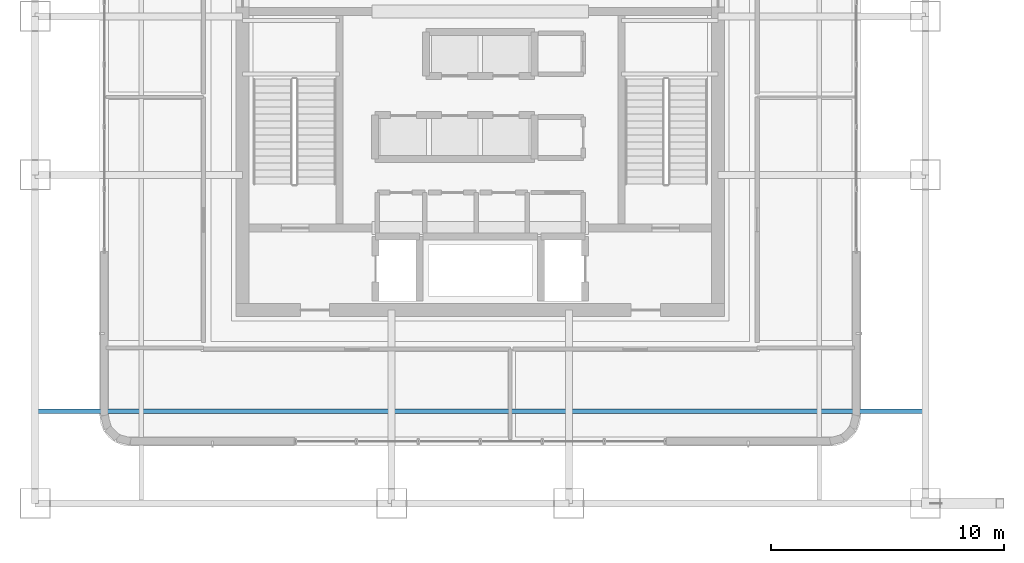
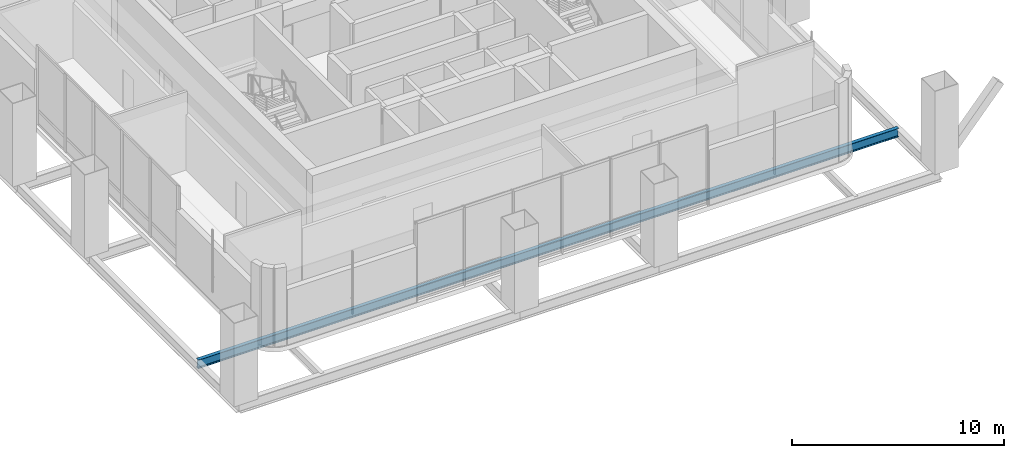
# One storey, part 5 of 33: 1 beam.
"""IFC4 building model written with IfcOpenShell, lengths in metres."""

import ifcopenshell
import ifcopenshell.guid

model = None  # the IFC model being written
_history = None  # IfcOwnerHistory: only IFC2X3 demands one
_inside = {}  # id of a spatial element -> (the spatial element, [elements in it])
_under = {}  # id of a project, library or spatial element -> (it, [spatial elements below it])
_declared = {}  # id of a project -> (the project, [libraries it declares])
_typed = {}  # id of a type object -> (the type object, [elements of that type])
_made_of = {}  # id of a material, layer set ... -> (it, [elements and type objects made of it])


def new_model(schema):
    """Start an empty IFC model of exactly this schema.

    Asked for "IFC4X3", IfcOpenShell would pick the latest addendum, in which some entities
    have other attributes; the version numbers below select the first issue.
    IFC2X3 requires an IfcOwnerHistory on every rooted entity: one is made here for all.
    """
    global model, _history
    if schema == "IFC4X3":
        model = ifcopenshell.file(schema_version=(4, 3, 0, 0))
    else:
        model = ifcopenshell.file(schema=schema)
    _inside.clear()
    _under.clear()
    _declared.clear()
    _typed.clear()
    _made_of.clear()
    _history = None
    if model.schema == "IFC2X3":
        org = make("IfcOrganization", Name="unknown")
        user = make(
            "IfcPersonAndOrganization",
            ThePerson=make("IfcPerson", FamilyName="unknown"),
            TheOrganization=org,
        )
        app = make(
            "IfcApplication",
            ApplicationDeveloper=org,
            Version="unknown",
            ApplicationFullName="unknown",
            ApplicationIdentifier="unknown",
        )
        _history = make(
            "IfcOwnerHistory",
            OwningUser=user,
            OwningApplication=app,
            ChangeAction="ADDED",
            CreationDate=0,
        )
    return model


def make(cls, **values):
    """One entity of the class cls with the attributes given. An attribute that is None is left unset."""
    return model.create_entity(
        cls, **{name: value for name, value in values.items() if value is not None}
    )


def rooted(cls, **values):
    """An entity with a GlobalId (a new one), such as an element, a storey or a relation."""
    return make(cls, GlobalId=ifcopenshell.guid.new(), OwnerHistory=_history, **values)


def si_unit(unit_type, name, prefix=None):
    """IfcSIUnit, for example si_unit("LENGTHUNIT", "METRE", prefix="MILLI")."""
    return make("IfcSIUnit", UnitType=unit_type, Prefix=prefix, Name=name)


def assignment(units):
    """IfcUnitAssignment: the units of a project."""
    return None if units is None else make("IfcUnitAssignment", Units=units)


def point(xyz):
    """IfcCartesianPoint."""
    return None if xyz is None else make("IfcCartesianPoint", Coordinates=xyz)


def direction(xyz):
    """IfcDirection."""
    return None if xyz is None else make("IfcDirection", DirectionRatios=xyz)


def frame(location, z_axis=None, x_axis=None):
    """IfcAxis2Placement3D, a coordinate frame: its origin and axes. An axis left out is left unset."""
    return make(
        "IfcAxis2Placement3D",
        Location=point(location),
        Axis=direction(z_axis),
        RefDirection=direction(x_axis),
    )


def frame_2d(location, x_axis=None):
    """IfcAxis2Placement2D, a coordinate frame in the plane: its origin and x axis."""
    return make(
        "IfcAxis2Placement2D", Location=point(location), RefDirection=direction(x_axis)
    )


def origin():
    """The frame at (0, 0, 0) with its axes left unset."""
    return frame((0.0, 0.0, 0.0))


def origin_2d():
    """The frame at (0, 0) in the plane with its x axis left unset."""
    return frame_2d((0.0, 0.0))


def place(relative_to, where):
    """IfcLocalPlacement: puts the frame where relative to a parent placement (None: the world)."""
    return make(
        "IfcLocalPlacement", PlacementRelTo=relative_to, RelativePlacement=where
    )


def context(
    kind, dimensions, precision=None, world=None, true_north=None, identifier=None
):
    """IfcGeometricRepresentationContext, for example the 3D "Model" context."""
    return make(
        "IfcGeometricRepresentationContext",
        ContextIdentifier=identifier,
        ContextType=kind,
        CoordinateSpaceDimension=dimensions,
        Precision=precision,
        WorldCoordinateSystem=world,
        TrueNorth=true_north,
    )


def subcontext(parent, identifier, kind, view, scale=None):
    """IfcGeometricRepresentationSubContext, for example "Body" below "Model"."""
    return make(
        "IfcGeometricRepresentationSubContext",
        ContextIdentifier=identifier,
        ContextType=kind,
        ParentContext=parent,
        TargetScale=scale,
        TargetView=view,
    )


def project(units=None, contexts=None):
    """IfcProject with its units and contexts."""
    return rooted(
        "IfcProject",
        Name="project",
        RepresentationContexts=contexts,
        UnitsInContext=assignment(units),
    )


def spatial(cls, under=None, at=None, **own):
    """A site, building, storey or space (cls), placed at a placement, below another one or the project."""
    s = rooted(cls, ObjectPlacement=at, **own)
    if under is not None:
        _under.setdefault(under.id(), (under, []))[1].append(s)
    return s


def profile(cls, at=None, kind="AREA", **sizes):
    """A parametric profile (cls). Its sizes go by their IFC names, for example OverallWidth=200.0."""
    return make(cls, ProfileType=kind, Position=at, **sizes)


def i_section(**sizes):
    """IfcIShapeProfileDef."""
    return profile("IfcIShapeProfileDef", **sizes)


def extrude(swept, where, along, depth):
    """IfcExtrudedAreaSolid: the profile swept, set in the frame where, extruded along a direction by depth."""
    return make(
        "IfcExtrudedAreaSolid",
        SweptArea=swept,
        Position=where,
        ExtrudedDirection=direction(along),
        Depth=depth,
    )


def shape(context_of_items, identifier, shape_type, items):
    """IfcShapeRepresentation: the items that make up one representation, for example the "Body"."""
    return make(
        "IfcShapeRepresentation",
        ContextOfItems=context_of_items,
        RepresentationIdentifier=identifier,
        RepresentationType=shape_type,
        Items=items,
    )


def material(Name=None, Category=None):
    """IfcMaterial."""
    return make("IfcMaterial", Name=Name, Category=Category)


def material_profile(
    of_material, cross_section, Name=None, Category=None, Priority=None
):
    """IfcMaterialProfile: a cross section and its material."""
    return make(
        "IfcMaterialProfile",
        Name=Name,
        Material=of_material,
        Profile=cross_section,
        Priority=Priority,
        Category=Category,
    )


def profile_set(profiles, Name=None, composite=None):
    """IfcMaterialProfileSet."""
    return make(
        "IfcMaterialProfileSet",
        Name=Name,
        MaterialProfiles=profiles,
        CompositeProfile=composite,
    )


def made_of(thing, what):
    """Note that an element or type object is made of a material, layer set ...; save() writes the relation."""
    if what is not None:
        _made_of.setdefault(what.id(), (what, []))[1].append(thing)
    return thing


def type_object(cls, material=None, **own):
    """A type object (cls), such as IfcWallType, which elements share."""
    return made_of(rooted(cls, **own), material)


def element(
    cls,
    number,
    at=None,
    inside=None,
    cuts=None,
    type_object=None,
    material=None,
    context=None,
    identifier="Body",
    shape_type=None,
    held_by="IfcProductDefinitionShape",
    body=None,
    shapes=None,
    **own,
):
    """One element of the class cls, such as IfcWall. Its Tag is "e" and its number.

    at: its placement. inside: the storey or other place that contains it. cuts: it is an
    opening in that element (IfcRelVoidsElement). A single representation is given by context,
    identifier, shape_type and body (its items); several are given by shapes. held_by: the class
    of the entity that holds the representations. save() writes the other relations.
    """
    e = rooted(cls, Tag="e%d" % number, ObjectPlacement=at, **own)
    if body is not None:
        shapes = [shape(context, identifier, shape_type, body)]
    if shapes is not None:
        e.Representation = make(held_by, Representations=shapes)
    if inside is not None:
        _inside.setdefault(inside.id(), (inside, []))[1].append(e)
    if cuts is not None:
        rooted(
            "IfcRelVoidsElement", RelatingBuildingElement=cuts, RelatedOpeningElement=e
        )
    if type_object is not None:
        _typed.setdefault(type_object.id(), (type_object, []))[1].append(e)
    return made_of(e, material)


def aggregate(whole, parts):
    """IfcRelAggregates: a whole, such as a stair, and the parts it consists of."""
    return rooted("IfcRelAggregates", RelatingObject=whole, RelatedObjects=parts)


def save(model, path):
    """Write the relations noted so far, then the file.

    IfcRelAggregates (storeys below a building ...), IfcRelContainedInSpatialStructure (elements
    in a storey), IfcRelDefinesByType, IfcRelAssociatesMaterial and IfcRelDeclares: one each for
    every whole, place, type object, material and project.
    """
    for whole, parts in _under.values():
        aggregate(whole, parts)
    for where, things in _inside.values():
        rooted(
            "IfcRelContainedInSpatialStructure",
            RelatedElements=things,
            RelatingStructure=where,
        )
    for kind, things in _typed.values():
        rooted("IfcRelDefinesByType", RelatedObjects=things, RelatingType=kind)
    for what, things in _made_of.values():
        rooted("IfcRelAssociatesMaterial", RelatedObjects=things, RelatingMaterial=what)
    for by, libraries in _declared.values():
        rooted("IfcRelDeclares", RelatingContext=by, RelatedDefinitions=libraries)
    model.write(path)


model = new_model("IFC4")

# Units and contexts
model_context = context("Model", 3, precision=1e-05, world=origin(), true_north=direction((0.0, 1.0)))
body_context = subcontext(model_context, "Body", "Model", "MODEL_VIEW")
ifc_project = project(units=[si_unit("LENGTHUNIT", "METRE"), si_unit("AREAUNIT", "SQUARE_METRE"), si_unit("VOLUMEUNIT", "CUBIC_METRE"), si_unit("PLANEANGLEUNIT", "RADIAN"), si_unit("MASSUNIT", "GRAM", prefix="KILO")], contexts=[model_context])

# Site, building, storey
site_placement = place(None, origin())
site = spatial("IfcSite", under=ifc_project, at=site_placement, CompositionType="ELEMENT")
building_placement = place(site_placement, origin())
building = spatial("IfcBuilding", under=site, at=building_placement, Name="Punatoya Terracotta Tower", CompositionType="ELEMENT")
storey_placement = place(building_placement, frame((0.0, 0.0, 246.60009765625)))
storey = spatial("IfcBuildingStorey", under=building, at=storey_placement, Name="L58", CompositionType="ELEMENT", Elevation=246.60009765625)

# Beam
ifc_material = material(Name="Steel S355", Category="steel")
ifc_material_profile = material_profile(ifc_material, i_section(OverallWidth=0.199951171875, OverallDepth=0.5, WebThickness=0.01025390625, FlangeThickness=0.01611328125, FilletRadius=0.01806640625, at=origin_2d()))
ifc_profile_set = profile_set([ifc_material_profile], Name="Steel S355")
beam_type = type_object("IfcBeamType", Name="BM-SPN-500", PredefinedType="SPANDREL", material=ifc_profile_set)
beam_placement = place(storey_placement, frame((-19.10009765625, -13.550048828125, -0.510009765625), z_axis=(1.0, 0.0, 0.0), x_axis=(0.0, 1.0, 0.0)))
element("IfcBeam", 1, at=beam_placement, inside=storey, type_object=beam_type, Name="BM-L58-NCK-S", PredefinedType="SPANDREL", context=body_context, shape_type="SweptSolid", body=[
    extrude(i_section(OverallWidth=0.199951171875, OverallDepth=0.5, WebThickness=0.01025390625, FlangeThickness=0.01611328125, FilletRadius=0.01806640625, at=origin_2d()), origin(), (0.0, 0.0, 1.0), 38.2001953125),
])

save(model, "model.ifc")
